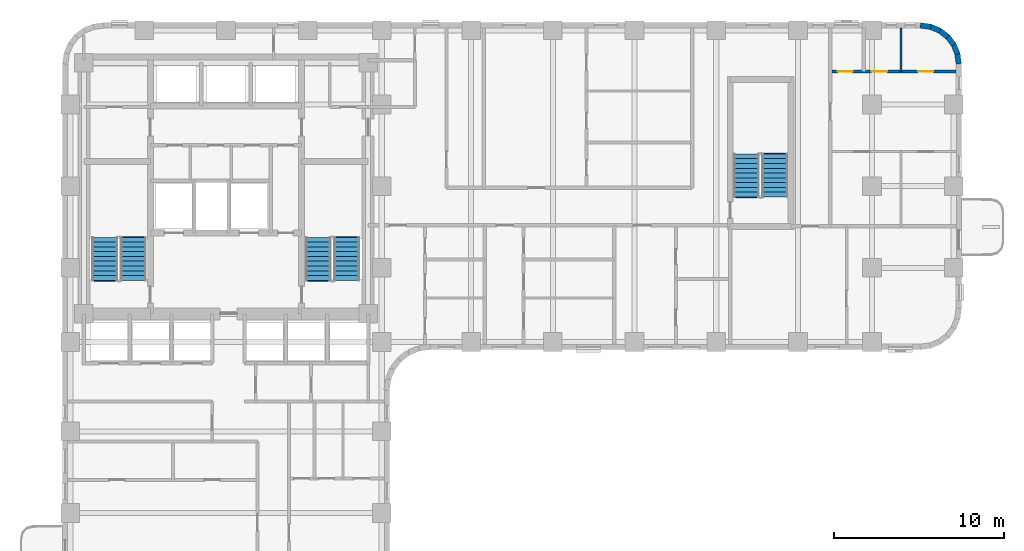
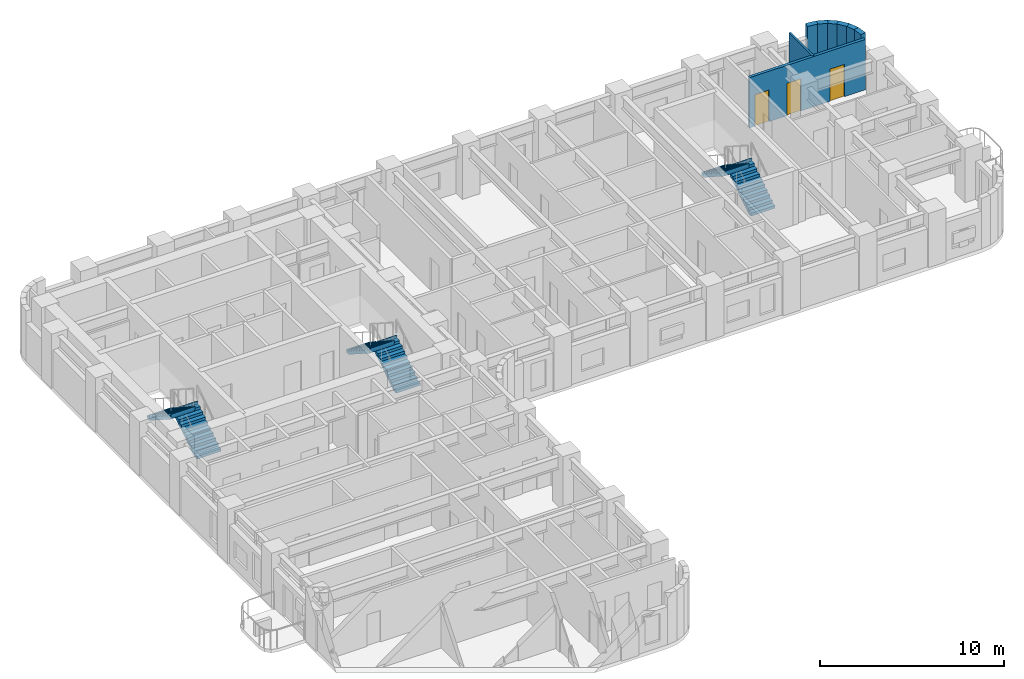
# One storey, part 8 of 11: 8 walls, 6 stair flights, 3 doors, 3 openings, 3 elements without a shape of their own.
"""IFC4 building model written with IfcOpenShell, lengths in metres."""

from ifc_helpers import new_model, si_unit, direction, frame, frame_2d, origin, place, context, subcontext, project, spatial, polyline, rectangle, outline, extrude, material, layer, layer_set, type_object, element, fill, aggregate, save


model = new_model("IFC4")

# Units and contexts
model_context = context("Model", 3, precision=1e-05, world=origin(), true_north=direction((0.0, 1.0)))
body_context = subcontext(model_context, "Body", "Model", "MODEL_VIEW")
ifc_project = project(units=[si_unit("LENGTHUNIT", "METRE"), si_unit("AREAUNIT", "SQUARE_METRE"), si_unit("VOLUMEUNIT", "CUBIC_METRE"), si_unit("PLANEANGLEUNIT", "RADIAN"), si_unit("MASSUNIT", "GRAM", prefix="KILO")], contexts=[model_context])

# Site, building, storey
site_placement = place(None, origin())
site = spatial("IfcSite", under=ifc_project, at=site_placement, CompositionType="ELEMENT")
building_placement = place(site_placement, origin())
building = spatial("IfcBuilding", under=site, at=building_placement, Name="Orvandelia Arch Residences", CompositionType="ELEMENT")
storey_placement = place(building_placement, frame((0.0, 0.0, 53.800048828125)))
storey = spatial("IfcBuildingStorey", under=building, at=storey_placement, Name="L13", CompositionType="ELEMENT", Elevation=53.800048828125)

# Walls
ifc_material_1 = material(Name="Precast concrete C40/50", Category="concrete")
ifc_layer_1 = layer(ifc_material_1, 0.320068359375, Name="Precast concrete C40/50", Category="concrete")
ifc_layer_set_1 = layer_set([ifc_layer_1], Name="Precast concrete C40/50")
wall_type_1 = type_object("IfcWallType", Name="WL-EXT-STONE-320", PredefinedType="STANDARD", material=ifc_layer_set_1)
for number, where, z_axis, x_axis, name in (
    (1, (55.17919921875, 47.84130859375, 0.0), (0.0, 0.0, 1.0), (0.9914410257, -0.130555323746, 0.0), "Coral-Limestone Precast Facade Wall L13-008"),
    (2, (55.760009765625, 47.7705078125, 0.0), (0.0, 0.0, 1.0), (0.92389335771, -0.382650053678, 0.0), "Coral-Limestone Precast Facade Wall L13-009"),
):
    element("IfcWall", number, at=place(storey_placement, frame(where, z_axis=z_axis, x_axis=x_axis)), inside=storey, type_object=wall_type_1, Name=name, PredefinedType="STANDARD", context=body_context, shape_type="SweptSolid", body=[
        extrude(rectangle(XDim=0.62646484375, YDim=0.320068359375, at=frame_2d((0.313232421875, 0.0))), origin(), (0.0, 0.0, 1.0), 3.349853515625),
    ])
wall_1_placement = place(storey_placement, frame((56.302490234375, 47.551513671875, 0.0), z_axis=(0.0, 0.0, 1.0), x_axis=(0.793549926411, -0.608505147302, 0.0)))
element("IfcWall", 3, at=wall_1_placement, inside=storey, type_object=wall_type_1, Name="Coral-Limestone Precast Facade Wall L13-010", PredefinedType="STANDARD", context=body_context, shape_type="SweptSolid", body=[
    extrude(rectangle(XDim=0.626708984375, YDim=0.320068359375, at=frame_2d((0.3134765625, 0.0))), origin(), (0.0, 0.0, 1.0), 3.349853515625),
])
for number, where, z_axis, x_axis, name in (
    (4, (56.770263671875, 47.19970703125, 0.0), (0.0, 0.0, 1.0), (0.608693302629, -0.793405610854, 0.0), "Coral-Limestone Precast Facade Wall L13-011"),
    (5, (57.130615234375, 46.73876953125, 0.0), (0.0, 0.0, 1.0), (0.382650053678, -0.92389335771, 0.0), "Coral-Limestone Precast Facade Wall L13-012"),
    (6, (57.359619140625, 46.2001953125, 0.0), (0.0, 0.0, 1.0), (0.130555323746, -0.9914410257, 0.0), "Coral-Limestone Precast Facade Wall L13-013"),
):
    element("IfcWall", number, at=place(storey_placement, frame(where, z_axis=z_axis, x_axis=x_axis)), inside=storey, type_object=wall_type_1, Name=name, PredefinedType="STANDARD", context=body_context, shape_type="SweptSolid", body=[
        extrude(rectangle(XDim=0.62646484375, YDim=0.320068359375, at=frame_2d((0.313232421875, 0.0))), origin(), (0.0, 0.0, 1.0), 3.349853515625),
    ])
ifc_material_2 = material(Name="Lightweight Gypsum Stud Partition")
ifc_layer_2 = layer(ifc_material_2, 0.1201171875, Name="Lightweight Gypsum Stud Partition")
ifc_layer_set_2 = layer_set([ifc_layer_2], Name="Lightweight Gypsum Stud Partition")
wall_type_2 = type_object("IfcWallType", Name="WL-PART-120", PredefinedType="PARTITIONING", material=ifc_layer_set_2)
wall_2_placement = place(storey_placement, frame((54.048095703125, 45.138916015625, 0.0), z_axis=(0.0, 0.0, 1.0), x_axis=(0.0, 1.0, 0.0)))
element("IfcWall", 7, at=wall_2_placement, inside=storey, type_object=wall_type_2, Name="Interior Partition Wall WL-L13-U10-V2", PredefinedType="PARTITIONING", context=body_context, shape_type="SweptSolid", body=[
    extrude(rectangle(XDim=2.541015625, YDim=0.1201171875, at=frame_2d((1.2705078125, 0.0))), origin(), (0.0, 0.0, 1.0), 3.349853515625),
])

# Wall, openings, doors
ifc_material_3 = material(Name="Moisture-Resistant Plumbing Wall")
ifc_layer_3 = layer(ifc_material_3, 0.179931640625, Name="Moisture-Resistant Plumbing Wall")
ifc_layer_set_3 = layer_set([ifc_layer_3], Name="Moisture-Resistant Plumbing Wall")
wall_type_3 = type_object("IfcWallType", Name="WL-WET-180", PredefinedType="PLUMBINGWALL", material=ifc_layer_set_3)
wall_3_placement = place(storey_placement, frame((50.0, 45.138916015625, 0.0), z_axis=(0.0, 0.0, 1.0), x_axis=(1.0, 0.0, 0.0)))
wall_3 = element("IfcWall", 8, at=wall_3_placement, inside=storey, type_object=wall_type_3, Name="Interior Partition Wall WL-L13-U10-HZ", PredefinedType="PLUMBINGWALL", context=body_context, shape_type="SweptSolid", body=[
    extrude(rectangle(XDim=7.280029296875, YDim=0.179931640625, at=frame_2d((3.64013671875, 0.0))), origin(), (0.0, 0.0, 1.0), 3.349853515625),
])
opening_1_placement = place(wall_3_placement, frame((0.343017578125, 0.0, 0.0)))
opening_1 = element("IfcOpeningElement", 9, at=opening_1_placement, cuts=wall_3, Name="Opening D4", PredefinedType="OPENING", context=body_context, shape_type="SweptSolid", body=[
    extrude(rectangle(XDim=0.860107421875, YDim=2.10009765625, at=frame_2d((0.43017578125, 1.050048828125))), frame((0.0, 0.10009765625, 0.0), z_axis=(0.0, -1.0, 0.0), x_axis=(1.0, 0.0, 0.0)), (0.0, 0.0, 1.0), 0.199951171875),
])
opening_2_placement = place(wall_3_placement, frame((2.328125, 0.0, 0.0)))
opening_2 = element("IfcOpeningElement", 10, at=opening_2_placement, cuts=wall_3, Name="Opening D3", PredefinedType="OPENING", context=body_context, shape_type="SweptSolid", body=[
    extrude(rectangle(XDim=0.89990234375, YDim=2.14990234375, at=frame_2d((0.449951171875, 1.074951171875))), frame((0.0, 0.10009765625, 0.0), z_axis=(0.0, -1.0, 0.0), x_axis=(1.0, 0.0, 0.0)), (0.0, 0.0, 1.0), 0.199951171875),
])
opening_3_placement = place(wall_3_placement, frame((5.056884765625, 0.0, 0.0)))
opening_3 = element("IfcOpeningElement", 11, at=opening_3_placement, cuts=wall_3, Name="Opening D3", PredefinedType="OPENING", context=body_context, shape_type="SweptSolid", body=[
    extrude(rectangle(XDim=0.89990234375, YDim=2.14990234375, at=frame_2d((0.449951171875, 1.074951171875))), frame((0.0, 0.10009765625, 0.0), z_axis=(0.0, -1.0, 0.0), x_axis=(1.0, 0.0, 0.0)), (0.0, 0.0, 1.0), 0.199951171875),
])
ifc_material_4 = material(Name="Engineered Timber Flush Door", Category="wood")
door_type_1 = type_object("IfcDoorType", Name="DR-INT-900", OperationType="NOTDEFINED", PredefinedType="DOOR", material=ifc_material_4)
door_1_placement = place(opening_2_placement, origin())
door_1 = element("IfcDoor", 12, at=door_1_placement, inside=storey, type_object=door_type_1, Name="DR-L13-U10-KIT", OperationType="SINGLE_SWING_RIGHT", OverallHeight=2.14990234375, OverallWidth=0.89990234375, PredefinedType="DOOR", context=body_context, shape_type="SweptSolid", body=[
    extrude(rectangle(XDim=0.89990234375, YDim=2.14990234375, at=frame_2d((0.449951171875, 1.074951171875))), frame((0.0, 0.02490234375, 0.0), z_axis=(0.0, -1.0, 0.0), x_axis=(1.0, 0.0, 0.0)), (0.0, 0.0, 1.0), 0.050048828125),
])
fill(opening_2, door_1)
door_2_placement = place(opening_3_placement, origin())
door_2 = element("IfcDoor", 13, at=door_2_placement, inside=storey, type_object=door_type_1, Name="DR-L13-U10-BD1", OperationType="SINGLE_SWING_LEFT", OverallHeight=2.14990234375, OverallWidth=0.89990234375, PredefinedType="DOOR", context=body_context, shape_type="SweptSolid", body=[
    extrude(rectangle(XDim=0.89990234375, YDim=2.14990234375, at=frame_2d((0.449951171875, 1.074951171875))), frame((0.0, 0.02490234375, 0.0), z_axis=(0.0, -1.0, 0.0), x_axis=(1.0, 0.0, 0.0)), (0.0, 0.0, 1.0), 0.050048828125),
])
fill(opening_3, door_2)
ifc_material_5 = material(Name="Moisture-Sealed Timber Bathroom Door", Category="wood")
door_type_2 = type_object("IfcDoorType", Name="DR-WET-900", OperationType="NOTDEFINED", PredefinedType="DOOR", material=ifc_material_5)
door_3_placement = place(opening_1_placement, origin())
door_3 = element("IfcDoor", 14, at=door_3_placement, inside=storey, type_object=door_type_2, Name="DR-L13-U10-BTH", OperationType="SINGLE_SWING_LEFT", OverallHeight=2.10009765625, OverallWidth=0.860107421875, PredefinedType="DOOR", context=body_context, shape_type="SweptSolid", body=[
    extrude(rectangle(XDim=0.860107421875, YDim=2.10009765625, at=frame_2d((0.43017578125, 1.050048828125))), frame((0.0, 0.02490234375, 0.0), z_axis=(0.0, -1.0, 0.0), x_axis=(1.0, 0.0, 0.0)), (0.0, 0.0, 1.0), 0.050048828125),
])
fill(opening_1, door_3)

# Stair, stair flights
ifc_material_6 = material(Name="Concrete C40/50", Category="concrete")
stair_type = type_object("IfcStairType", Name="STAIR-RC-DOGLEG", PredefinedType="HALF_TURN_STAIR", material=ifc_material_6)
stair_1_placement = place(storey_placement, origin())
stair_1 = element("IfcStair", 15, at=stair_1_placement, inside=storey, type_object=stair_type, Name="L13 Protected Exit Stair ST-1", PredefinedType="HALF_TURN_STAIR")
stair_flight_type = type_object("IfcStairFlightType", Name="STFLT-RC-1520", PredefinedType="STRAIGHT", material=ifc_material_6)
stair_flight_1_placement = place(storey_placement, frame((8.9599609375, 32.8701171875, 0.0), z_axis=(0.0, 0.0, 1.0), x_axis=(0.0, 1.0, 0.0)))
stair_flight_1 = element("IfcStairFlight", 16, at=stair_flight_1_placement, type_object=stair_flight_type, Name="ST-1 flight 1", NumberOfRisers=10, NumberOfTreads=9, PredefinedType="STRAIGHT", RiserHeight=0.18, TreadLength=0.28, context=body_context, shape_type="SweptSolid", body=[
    extrude(outline(polyline([(0.0, 0.0), (0.0, 0.179931640625), (0.280029296875, 0.179931640625), (0.280029296875, 0.360107421875), (0.56005859375, 0.360107421875), (0.56005859375, 0.5400390625), (0.840087890625, 0.5400390625), (0.840087890625, 0.719970703125), (1.1201171875, 0.719970703125), (1.1201171875, 0.89990234375), (1.39990234375, 0.89990234375), (1.39990234375, 1.080078125), (1.679931640625, 1.080078125), (1.679931640625, 1.260009765625), (1.9599609375, 1.260009765625), (1.9599609375, 1.43994140625), (2.239990234375, 1.43994140625), (2.239990234375, 1.6201171875), (2.52001953125, 1.6201171875), (2.52001953125, 1.800048828125), (2.580078125, 1.800048828125), (2.580078125, 1.6201171875), (2.52001953125, 1.44189453125), (0.277099609375, 0.0), (0.0, 0.0)])), frame((0.0, 0.760009765625, 0.0), z_axis=(0.0, -1.0, 0.0), x_axis=(1.0, 0.0, 0.0)), (0.0, 0.0, 1.0), 1.52001953125),
])
stair_flight_2_placement = place(storey_placement, frame((7.2900390625, 35.389892578125, 1.800048828125), z_axis=(0.0, 0.0, 1.0), x_axis=(0.0, -1.0, 0.0)))
stair_flight_2 = element("IfcStairFlight", 17, at=stair_flight_2_placement, type_object=stair_flight_type, Name="ST-1 flight 2", NumberOfRisers=10, NumberOfTreads=9, PredefinedType="STRAIGHT", RiserHeight=0.18, TreadLength=0.28, context=body_context, shape_type="SweptSolid", body=[
    extrude(outline(polyline([(0.0, 0.0), (0.0, 0.179931640625), (0.280029296875, 0.179931640625), (0.280029296875, 0.360107421875), (0.56005859375, 0.360107421875), (0.56005859375, 0.5400390625), (0.840087890625, 0.5400390625), (0.840087890625, 0.719970703125), (1.1201171875, 0.719970703125), (1.1201171875, 0.89990234375), (1.39990234375, 0.89990234375), (1.39990234375, 1.080078125), (1.679931640625, 1.080078125), (1.679931640625, 1.260009765625), (1.9599609375, 1.260009765625), (1.9599609375, 1.43994140625), (2.239990234375, 1.43994140625), (2.239990234375, 1.6201171875), (2.52001953125, 1.6201171875), (2.52001953125, 1.800048828125), (2.580078125, 1.800048828125), (2.580078125, 1.6201171875), (2.52001953125, 1.44189453125), (0.277099609375, 0.0), (0.0, 0.0)])), frame((0.0, 0.760009765625, 0.0), z_axis=(0.0, -1.0, 0.0), x_axis=(1.0, 0.0, 0.0)), (0.0, 0.0, 1.0), 1.52001953125),
])
aggregate(stair_1, [stair_flight_1, stair_flight_2])

stair_2_placement = place(storey_placement, origin())
stair_2 = element("IfcStair", 18, at=stair_2_placement, inside=storey, type_object=stair_type, Name="L13 Protected Exit Stair ST-2", PredefinedType="HALF_TURN_STAIR")
stair_flight_3_placement = place(storey_placement, frame((21.489990234375, 32.8701171875, 0.0), z_axis=(0.0, 0.0, 1.0), x_axis=(0.0, 1.0, 0.0)))
stair_flight_3 = element("IfcStairFlight", 19, at=stair_flight_3_placement, type_object=stair_flight_type, Name="ST-2 flight 1", NumberOfRisers=10, NumberOfTreads=9, PredefinedType="STRAIGHT", RiserHeight=0.18, TreadLength=0.28, context=body_context, shape_type="SweptSolid", body=[
    extrude(outline(polyline([(0.0, 0.0), (0.0, 0.179931640625), (0.280029296875, 0.179931640625), (0.280029296875, 0.360107421875), (0.56005859375, 0.360107421875), (0.56005859375, 0.5400390625), (0.840087890625, 0.5400390625), (0.840087890625, 0.719970703125), (1.1201171875, 0.719970703125), (1.1201171875, 0.89990234375), (1.39990234375, 0.89990234375), (1.39990234375, 1.080078125), (1.679931640625, 1.080078125), (1.679931640625, 1.260009765625), (1.9599609375, 1.260009765625), (1.9599609375, 1.43994140625), (2.239990234375, 1.43994140625), (2.239990234375, 1.6201171875), (2.52001953125, 1.6201171875), (2.52001953125, 1.800048828125), (2.580078125, 1.800048828125), (2.580078125, 1.6201171875), (2.52001953125, 1.44189453125), (0.277099609375, 0.0), (0.0, 0.0)])), frame((0.0, 0.760009765625, 0.0), z_axis=(0.0, -1.0, 0.0), x_axis=(1.0, 0.0, 0.0)), (0.0, 0.0, 1.0), 1.52001953125),
])
stair_flight_4_placement = place(storey_placement, frame((19.820068359375, 35.389892578125, 1.800048828125), z_axis=(0.0, 0.0, 1.0), x_axis=(0.0, -1.0, 0.0)))
stair_flight_4 = element("IfcStairFlight", 20, at=stair_flight_4_placement, type_object=stair_flight_type, Name="ST-2 flight 2", NumberOfRisers=10, NumberOfTreads=9, PredefinedType="STRAIGHT", RiserHeight=0.18, TreadLength=0.28, context=body_context, shape_type="SweptSolid", body=[
    extrude(outline(polyline([(0.0, 0.0), (0.0, 0.179931640625), (0.280029296875, 0.179931640625), (0.280029296875, 0.360107421875), (0.56005859375, 0.360107421875), (0.56005859375, 0.5400390625), (0.840087890625, 0.5400390625), (0.840087890625, 0.719970703125), (1.1201171875, 0.719970703125), (1.1201171875, 0.89990234375), (1.39990234375, 0.89990234375), (1.39990234375, 1.080078125), (1.679931640625, 1.080078125), (1.679931640625, 1.260009765625), (1.9599609375, 1.260009765625), (1.9599609375, 1.43994140625), (2.239990234375, 1.43994140625), (2.239990234375, 1.6201171875), (2.52001953125, 1.6201171875), (2.52001953125, 1.800048828125), (2.580078125, 1.800048828125), (2.580078125, 1.6201171875), (2.52001953125, 1.44189453125), (0.277099609375, 0.0), (0.0, 0.0)])), frame((0.0, 0.760009765625, 0.0), z_axis=(0.0, -1.0, 0.0), x_axis=(1.0, 0.0, 0.0)), (0.0, 0.0, 1.0), 1.52001953125),
])
aggregate(stair_2, [stair_flight_3, stair_flight_4])

stair_3_placement = place(storey_placement, origin())
stair_3 = element("IfcStair", 21, at=stair_3_placement, inside=storey, type_object=stair_type, Name="L13 East Wing Exit Stair ST-3", PredefinedType="HALF_TURN_STAIR")
stair_flight_5_placement = place(storey_placement, frame((46.639892578125, 37.77001953125, 0.0), z_axis=(0.0, 0.0, 1.0), x_axis=(0.0, 1.0, 0.0)))
stair_flight_5 = element("IfcStairFlight", 22, at=stair_flight_5_placement, type_object=stair_flight_type, Name="ST-3 flight 1", NumberOfRisers=10, NumberOfTreads=9, PredefinedType="STRAIGHT", RiserHeight=0.18, TreadLength=0.28, context=body_context, shape_type="SweptSolid", body=[
    extrude(outline(polyline([(0.0, 0.0), (0.0, 0.179931640625), (0.280029296875, 0.179931640625), (0.280029296875, 0.360107421875), (0.56005859375, 0.360107421875), (0.56005859375, 0.5400390625), (0.840087890625, 0.5400390625), (0.840087890625, 0.719970703125), (1.1201171875, 0.719970703125), (1.1201171875, 0.89990234375), (1.39990234375, 0.89990234375), (1.39990234375, 1.080078125), (1.679931640625, 1.080078125), (1.679931640625, 1.260009765625), (1.9599609375, 1.260009765625), (1.9599609375, 1.43994140625), (2.239990234375, 1.43994140625), (2.239990234375, 1.6201171875), (2.52001953125, 1.6201171875), (2.52001953125, 1.800048828125), (2.580078125, 1.800048828125), (2.580078125, 1.6201171875), (2.52001953125, 1.44189453125), (0.277099609375, 0.0), (0.0, 0.0)])), frame((0.0, 0.760009765625, 0.0), z_axis=(0.0, -1.0, 0.0), x_axis=(1.0, 0.0, 0.0)), (0.0, 0.0, 1.0), 1.52001953125),
])
stair_flight_6_placement = place(storey_placement, frame((44.969970703125, 40.2900390625, 1.800048828125), z_axis=(0.0, 0.0, 1.0), x_axis=(0.0, -1.0, 0.0)))
stair_flight_6 = element("IfcStairFlight", 23, at=stair_flight_6_placement, type_object=stair_flight_type, Name="ST-3 flight 2", NumberOfRisers=10, NumberOfTreads=9, PredefinedType="STRAIGHT", RiserHeight=0.18, TreadLength=0.28, context=body_context, shape_type="SweptSolid", body=[
    extrude(outline(polyline([(0.0, 0.0), (0.0, 0.179931640625), (0.280029296875, 0.179931640625), (0.280029296875, 0.360107421875), (0.56005859375, 0.360107421875), (0.56005859375, 0.5400390625), (0.840087890625, 0.5400390625), (0.840087890625, 0.719970703125), (1.1201171875, 0.719970703125), (1.1201171875, 0.89990234375), (1.39990234375, 0.89990234375), (1.39990234375, 1.080078125), (1.679931640625, 1.080078125), (1.679931640625, 1.260009765625), (1.9599609375, 1.260009765625), (1.9599609375, 1.43994140625), (2.239990234375, 1.43994140625), (2.239990234375, 1.6201171875), (2.52001953125, 1.6201171875), (2.52001953125, 1.800048828125), (2.580078125, 1.800048828125), (2.580078125, 1.6201171875), (2.52001953125, 1.44189453125), (0.277099609375, 0.0), (0.0, 0.0)])), frame((0.0, 0.760009765625, 0.0), z_axis=(0.0, -1.0, 0.0), x_axis=(1.0, 0.0, 0.0)), (0.0, 0.0, 1.0), 1.52001953125),
])
aggregate(stair_3, [stair_flight_5, stair_flight_6])

save(model, "model.ifc")
